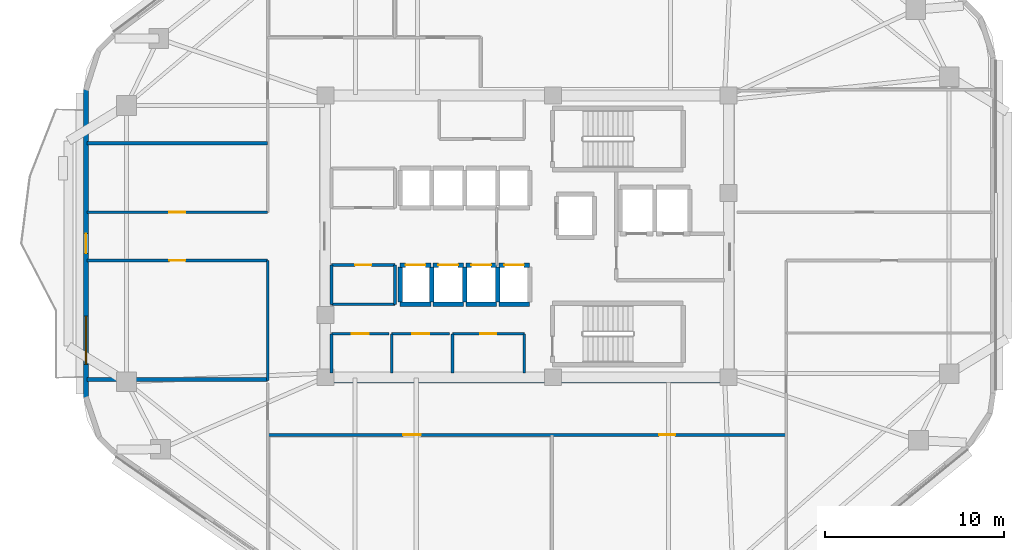
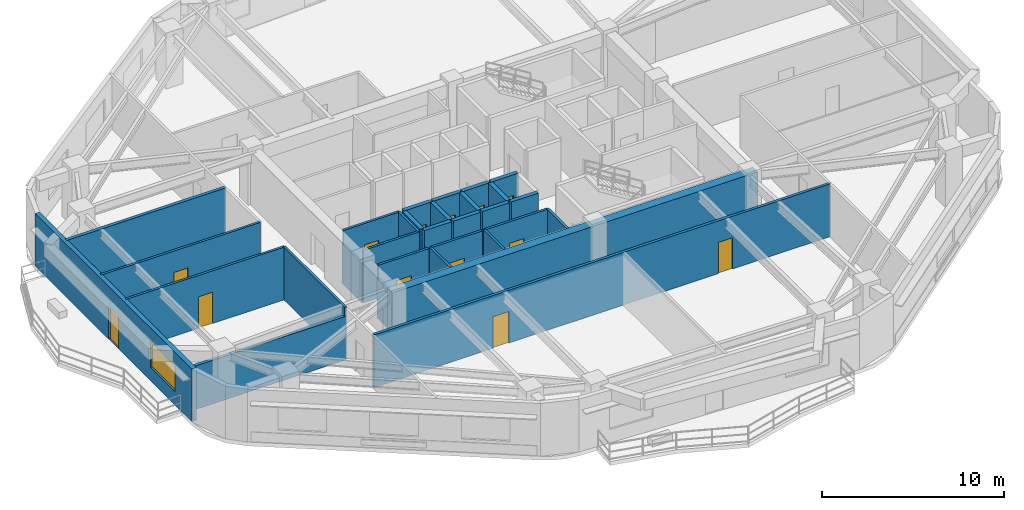
# One storey, part 3 of 9: 31 walls, 13 doors, 1 window, 14 openings.
"""IFC4 building model written with IfcOpenShell, lengths in metres."""

from ifc_helpers import new_model, si_unit, direction, frame, frame_2d, origin, place, context, subcontext, project, spatial, rectangle, extrude, material, layer, layer_set, type_object, element, fill, save


model = new_model("IFC4")

# Units and contexts
model_context = context("Model", 3, precision=1e-05, world=origin(), true_north=direction((0.0, 1.0)))
body_context = subcontext(model_context, "Body", "Model", "MODEL_VIEW")
ifc_project = project(units=[si_unit("LENGTHUNIT", "METRE"), si_unit("AREAUNIT", "SQUARE_METRE"), si_unit("VOLUMEUNIT", "CUBIC_METRE"), si_unit("PLANEANGLEUNIT", "RADIAN"), si_unit("MASSUNIT", "GRAM", prefix="KILO")], contexts=[model_context])

# Site, building, storey
site_placement = place(None, origin())
site = spatial("IfcSite", under=ifc_project, at=site_placement, CompositionType="ELEMENT")
building_placement = place(site_placement, origin())
building = spatial("IfcBuilding", under=site, at=building_placement, Name="Zulverin Broadcast Headquarters", CompositionType="ELEMENT")
storey_placement = place(building_placement, frame((0.0, 0.0, 144.0)))
storey = spatial("IfcBuildingStorey", under=building, at=storey_placement, Name="L36", CompositionType="ELEMENT", Elevation=144.0)

# Walls
ifc_material_1 = material(Name="Acoustic drywall steel stud", Category="steel")
ifc_layer_1 = layer(ifc_material_1, 0.199951171875, Name="Acoustic drywall steel stud", Category="steel")
ifc_layer_set_1 = layer_set([ifc_layer_1], Name="Acoustic drywall steel stud")
wall_type_1 = type_object("IfcWallType", Name="WL-ACOU-200", PredefinedType="PARTITIONING", material=ifc_layer_set_1)
wall_1_placement = place(storey_placement, frame((12.405029296875, 17.199951171875, 0.0), z_axis=(0.0, 0.0, 1.0), x_axis=(1.0, 0.0, 0.0)))
element("IfcWall", 1, at=wall_1_placement, inside=storey, type_object=wall_type_1, Name="L36 Room Partition Wall RP-09", PredefinedType="PARTITIONING", context=body_context, shape_type="SweptSolid", body=[
    extrude(rectangle(XDim=10.094970703125, YDim=0.199951171875, at=frame_2d((5.04736328125, 0.0))), origin(), (0.0, 0.0, 1.0), 2.9228515625),
])
wall_2_placement = place(storey_placement, frame((12.405029296875, 30.39990234375, 0.0), z_axis=(0.0, 0.0, 1.0), x_axis=(1.0, 0.0, 0.0)))
element("IfcWall", 2, at=wall_2_placement, inside=storey, type_object=wall_type_1, Name="L36 Room Partition Wall RP-15", PredefinedType="PARTITIONING", context=body_context, shape_type="SweptSolid", body=[
    extrude(rectangle(XDim=10.094970703125, YDim=0.199951171875, at=frame_2d((5.04736328125, 0.0))), origin(), (0.0, 0.0, 1.0), 3.5400390625),
])
ifc_material_2 = material(Name="Concrete C60/75", Category="concrete")
ifc_layer_2 = layer(ifc_material_2, 0.550048828125, Name="Concrete C60/75", Category="concrete")
ifc_layer_set_2 = layer_set([ifc_layer_2], Name="Concrete C60/75")
wall_type_2 = type_object("IfcWallType", Name="WL-CORE-550", PredefinedType="SHEAR", material=ifc_layer_set_2)
wall_3_placement = place(storey_placement, frame((25.39990234375, 17.27490234375, 0.0), z_axis=(0.0, 0.0, 1.0), x_axis=(1.0, 0.0, 0.0)))
element("IfcWall", 3, at=wall_3_placement, inside=storey, type_object=wall_type_2, Name="L36 Core South Shear Wall", PredefinedType="SHEAR", context=body_context, shape_type="SweptSolid", body=[
    extrude(rectangle(XDim=23.2001953125, YDim=0.550048828125, at=frame_2d((11.60009765625, 0.0))), origin(), (0.0, 0.0, 1.0), 3.5400390625),
])

# Wall, openings, door, window
ifc_material_3 = material(Name="Insulated pale-metal clad concrete spandrel C40/50", Category="concrete")
ifc_layer_3 = layer(ifc_material_3, 0.280029296875, Name="Insulated pale-metal clad concrete spandrel C40/50", Category="concrete")
ifc_layer_set_3 = layer_set([ifc_layer_3], Name="Insulated pale-metal clad concrete spandrel C40/50")
wall_type_3 = type_object("IfcWallType", Name="WL-EXT-280", PredefinedType="STANDARD", material=ifc_layer_set_3)
wall_4_placement = place(storey_placement, frame((12.340087890625, 33.4189453125, 0.0), z_axis=(0.0, 0.0, 1.0), x_axis=(0.0, -1.0, 0.0)))
wall_4 = element("IfcWall", 4, at=wall_4_placement, inside=storey, type_object=wall_type_3, Name="L36 Pale-Metal Clad Spandrel Wall 7", PredefinedType="STANDARD", context=body_context, shape_type="SweptSolid", body=[
    extrude(rectangle(XDim=17.23193359375, YDim=0.280029296875, at=frame_2d((8.615966796875, 0.0))), origin(), (0.0, 0.0, 1.0), 3.5400390625),
])
opening_1_placement = place(wall_4_placement, frame((8.06591796875, 0.0, 0.0)))
opening_1 = element("IfcOpeningElement", 5, at=opening_1_placement, cuts=wall_4, Name="Opening D-L36-TR7", PredefinedType="OPENING", context=body_context, shape_type="SweptSolid", body=[
    extrude(rectangle(XDim=1.10009765625, YDim=2.199951171875, at=frame_2d((0.550048828125, 1.10009765625))), frame((0.0, 0.14990234375, 0.0), z_axis=(0.0, -1.0, 0.0), x_axis=(1.0, 0.0, 0.0)), (0.0, 0.0, 1.0), 0.300048828125),
])
opening_2_placement = place(wall_4_placement, frame((12.6767578125, 0.0, 0.89990234375)))
opening_2 = element("IfcOpeningElement", 6, at=opening_2_placement, cuts=wall_4, Name="Opening W-L36-E71", PredefinedType="OPENING", context=body_context, shape_type="SweptSolid", body=[
    extrude(rectangle(XDim=2.699951171875, YDim=1.75, at=frame_2d((1.35009765625, 0.875))), frame((0.0, 0.14990234375, 0.0), z_axis=(0.0, -1.0, 0.0), x_axis=(1.0, 0.0, 0.0)), (0.0, 0.0, 1.0), 0.300048828125),
])
ifc_material_4 = material(Name="Thermally broken aluminium glazed", Category="aluminium")
door_type_1 = type_object("IfcDoorType", Name="DR-TERR-1100", OperationType="SINGLE_SWING_RIGHT", PredefinedType="DOOR", material=ifc_material_4)
door_1_placement = place(opening_1_placement, origin())
door_1 = element("IfcDoor", 7, at=door_1_placement, inside=storey, type_object=door_type_1, Name="L36 Planted Terrace Glazed Access Door 7", OperationType="SINGLE_SWING_RIGHT", OverallHeight=2.199951171875, OverallWidth=1.10009765625, PredefinedType="DOOR", context=body_context, shape_type="SweptSolid", body=[
    extrude(rectangle(XDim=1.10009765625, YDim=2.199951171875, at=frame_2d((0.550048828125, 1.10009765625))), frame((0.0, 0.02490234375, 0.0), z_axis=(0.0, -1.0, 0.0), x_axis=(1.0, 0.0, 0.0)), (0.0, 0.0, 1.0), 0.050048828125),
])
fill(opening_1, door_1)
ifc_material_5 = material(Name="Pale anodized aluminium frame with solar-control low-E double glazing", Category="aluminium")
window_type = type_object("IfcWindowType", Name="WIN-TWR-2700", PartitioningType="SINGLE_PANEL", PredefinedType="WINDOW", material=ifc_material_5)
window_placement = place(opening_2_placement, origin())
window = element("IfcWindow", 8, at=window_placement, inside=storey, type_object=window_type, Name="L36 Ribbon Glazing Window 7 1", OverallHeight=1.75, OverallWidth=2.699951171875, PartitioningType="SINGLE_PANEL", PredefinedType="WINDOW", context=body_context, shape_type="SweptSolid", body=[
    extrude(rectangle(XDim=2.699951171875, YDim=1.75, at=frame_2d((1.35009765625, 0.875))), frame((0.0, 0.030029296875, 0.0), z_axis=(0.0, -1.0, 0.0), x_axis=(1.0, 0.0, 0.0)), (0.0, 0.0, 1.0), 0.06005859375),
])
fill(opening_2, window)

# Wall, opening, door
ifc_material_6 = material(Name="Fire-rated gypsum stud partition", Category="gypsum")
ifc_layer_4 = layer(ifc_material_6, 0.14990234375, Name="Fire-rated gypsum stud partition", Category="gypsum")
ifc_layer_set_4 = layer_set([ifc_layer_4], Name="Fire-rated gypsum stud partition")
wall_type_4 = type_object("IfcWallType", Name="WL-PART-150", PredefinedType="PARTITIONING", material=ifc_layer_set_4)
wall_5_placement = place(storey_placement, frame((26.070068359375, 19.75, 0.0), z_axis=(0.0, 0.0, 1.0), x_axis=(1.0, 0.0, 0.0)))
wall_5 = element("IfcWall", 9, at=wall_5_placement, inside=storey, type_object=wall_type_4, Name="L36 Core Male WC Front Wall", PredefinedType="PARTITIONING", context=body_context, shape_type="SweptSolid", body=[
    extrude(rectangle(XDim=3.199951171875, YDim=0.14990234375, at=frame_2d((1.60009765625, 0.0))), origin(), (0.0, 0.0, 1.0), 3.5400390625),
])
opening_3_placement = place(wall_5_placement, frame((1.125, 0.0, 0.0)))
opening_3 = element("IfcOpeningElement", 10, at=opening_3_placement, cuts=wall_5, Name="Opening D-L36-SC1", PredefinedType="OPENING", context=body_context, shape_type="SweptSolid", body=[
    extrude(rectangle(XDim=0.949951171875, YDim=2.10009765625, at=frame_2d((0.47509765625, 1.050048828125))), frame((0.0, 0.0849609375, 0.0), z_axis=(0.0, -1.0, 0.0), x_axis=(1.0, 0.0, 0.0)), (0.0, 0.0, 1.0), 0.169921875),
])
ifc_material_7 = material(Name="Fire-rated moisture-resistant laminate leaf", Category="wood")
door_type_2 = type_object("IfcDoorType", Name="DR-WC-950", OperationType="SINGLE_SWING_LEFT", PredefinedType="DOOR", material=ifc_material_7)
door_2_placement = place(opening_3_placement, origin())
door_2 = element("IfcDoor", 11, at=door_2_placement, inside=storey, type_object=door_type_2, Name="L36 Male WC Door", OperationType="SINGLE_SWING_RIGHT", OverallHeight=2.10009765625, OverallWidth=0.949951171875, PredefinedType="DOOR", context=body_context, shape_type="SweptSolid", body=[
    extrude(rectangle(XDim=0.949951171875, YDim=2.10009765625, at=frame_2d((0.47509765625, 1.050048828125))), frame((0.0, 0.02490234375, 0.0), z_axis=(0.0, -1.0, 0.0), x_axis=(1.0, 0.0, 0.0)), (0.0, 0.0, 1.0), 0.050048828125),
])
fill(opening_3, door_2)

# Wall
wall_6_placement = place(storey_placement, frame((26.070068359375, 17.550048828125, 0.0), z_axis=(0.0, 0.0, 1.0), x_axis=(0.0, 1.0, 0.0)))
element("IfcWall", 12, at=wall_6_placement, inside=storey, type_object=wall_type_4, Name="L36 Core Male WC West Wall", PredefinedType="PARTITIONING", context=body_context, shape_type="SweptSolid", body=[
    extrude(rectangle(XDim=2.199951171875, YDim=0.14990234375, at=frame_2d((1.10009765625, 0.0))), origin(), (0.0, 0.0, 1.0), 2.639892578125),
])

# Wall, opening, door
wall_7_placement = place(storey_placement, frame((29.429931640625, 19.75, 0.0), z_axis=(0.0, 0.0, 1.0), x_axis=(1.0, 0.0, 0.0)))
wall_7 = element("IfcWall", 13, at=wall_7_placement, inside=storey, type_object=wall_type_4, Name="L36 Core Female WC Front Wall", PredefinedType="PARTITIONING", context=body_context, shape_type="SweptSolid", body=[
    extrude(rectangle(XDim=3.239990234375, YDim=0.14990234375, at=frame_2d((1.6201171875, 0.0))), origin(), (0.0, 0.0, 1.0), 3.5400390625),
])
opening_4_placement = place(wall_7_placement, frame((1.14501953125, 0.0, 0.0)))
opening_4 = element("IfcOpeningElement", 14, at=opening_4_placement, cuts=wall_7, Name="Opening D-L36-SC2", PredefinedType="OPENING", context=body_context, shape_type="SweptSolid", body=[
    extrude(rectangle(XDim=0.949951171875, YDim=2.10009765625, at=frame_2d((0.47509765625, 1.050048828125))), frame((0.0, 0.0849609375, 0.0), z_axis=(0.0, -1.0, 0.0), x_axis=(1.0, 0.0, 0.0)), (0.0, 0.0, 1.0), 0.169921875),
])
door_3_placement = place(opening_4_placement, origin())
door_3 = element("IfcDoor", 15, at=door_3_placement, inside=storey, type_object=door_type_2, Name="L36 Female WC Door", OperationType="SINGLE_SWING_LEFT", OverallHeight=2.10009765625, OverallWidth=0.949951171875, PredefinedType="DOOR", context=body_context, shape_type="SweptSolid", body=[
    extrude(rectangle(XDim=0.949951171875, YDim=2.10009765625, at=frame_2d((0.47509765625, 1.050048828125))), frame((0.0, 0.02490234375, 0.0), z_axis=(0.0, -1.0, 0.0), x_axis=(1.0, 0.0, 0.0)), (0.0, 0.0, 1.0), 0.050048828125),
])
fill(opening_4, door_3)

# Wall
wall_8_placement = place(storey_placement, frame((29.429931640625, 17.550048828125, 0.0), z_axis=(0.0, 0.0, 1.0), x_axis=(0.0, 1.0, 0.0)))
element("IfcWall", 16, at=wall_8_placement, inside=storey, type_object=wall_type_4, Name="L36 Core Female WC West Wall", PredefinedType="PARTITIONING", context=body_context, shape_type="SweptSolid", body=[
    extrude(rectangle(XDim=2.199951171875, YDim=0.14990234375, at=frame_2d((1.10009765625, 0.0))), origin(), (0.0, 0.0, 1.0), 3.5400390625),
])

# Wall, opening, door
wall_9_placement = place(storey_placement, frame((32.830078125, 19.75, 0.0), z_axis=(0.0, 0.0, 1.0), x_axis=(1.0, 0.0, 0.0)))
wall_9 = element("IfcWall", 17, at=wall_9_placement, inside=storey, type_object=wall_type_4, Name="L36 Core Cleaner Store Front Wall", PredefinedType="PARTITIONING", context=body_context, shape_type="SweptSolid", body=[
    extrude(rectangle(XDim=4.02001953125, YDim=0.14990234375, at=frame_2d((2.010009765625, 0.0))), origin(), (0.0, 0.0, 1.0), 3.5400390625),
])
opening_5_placement = place(wall_9_placement, frame((1.56005859375, 0.0, 0.0)))
opening_5 = element("IfcOpeningElement", 18, at=opening_5_placement, cuts=wall_9, Name="Opening D-L36-SC3", PredefinedType="OPENING", context=body_context, shape_type="SweptSolid", body=[
    extrude(rectangle(XDim=0.89990234375, YDim=2.10009765625, at=frame_2d((0.449951171875, 1.050048828125))), frame((0.0, 0.0849609375, 0.0), z_axis=(0.0, -1.0, 0.0), x_axis=(1.0, 0.0, 0.0)), (0.0, 0.0, 1.0), 0.169921875),
])
ifc_material_8 = material(Name="Powder-coated steel access leaf", Category="steel")
door_type_3 = type_object("IfcDoorType", Name="DR-RISER-900", OperationType="SINGLE_SWING_LEFT", PredefinedType="DOOR", material=ifc_material_8)
door_4_placement = place(opening_5_placement, origin())
door_4 = element("IfcDoor", 19, at=door_4_placement, inside=storey, type_object=door_type_3, Name="L36 Cleaner Store Door", OperationType="SINGLE_SWING_RIGHT", OverallHeight=2.10009765625, OverallWidth=0.89990234375, PredefinedType="DOOR", context=body_context, shape_type="SweptSolid", body=[
    extrude(rectangle(XDim=0.89990234375, YDim=2.10009765625, at=frame_2d((0.449951171875, 1.050048828125))), frame((0.0, 0.02490234375, 0.0), z_axis=(0.0, -1.0, 0.0), x_axis=(1.0, 0.0, 0.0)), (0.0, 0.0, 1.0), 0.050048828125),
])
fill(opening_5, door_4)

# Walls
for number, where, z_axis, x_axis, name in (
    (20, (32.830078125, 17.550048828125, 0.0), (0.0, 0.0, 1.0), (0.0, 1.0, 0.0), "L36 Core Cleaner Store West Wall"),
    (21, (36.85009765625, 17.550048828125, 0.0), (0.0, 0.0, 1.0), (0.0, 1.0, 0.0), "L36 Core Cleaner Store East Wall"),
):
    element("IfcWall", number, at=place(storey_placement, frame(where, z_axis=z_axis, x_axis=x_axis)), inside=storey, type_object=wall_type_4, Name=name, PredefinedType="PARTITIONING", context=body_context, shape_type="SweptSolid", body=[
        extrude(rectangle(XDim=2.199951171875, YDim=0.14990234375, at=frame_2d((1.10009765625, 0.0))), origin(), (0.0, 0.0, 1.0), 3.5400390625),
    ])
wall_10_placement = place(storey_placement, frame((26.070068359375, 21.39990234375, 0.0), z_axis=(0.0, 0.0, 1.0), x_axis=(1.0, 0.0, 0.0)))
element("IfcWall", 22, at=wall_10_placement, inside=storey, type_object=wall_type_4, Name="L36 Housekeeping Equipment Store S Wall", PredefinedType="PARTITIONING", context=body_context, shape_type="SweptSolid", body=[
    extrude(rectangle(XDim=3.550048828125, YDim=0.14990234375, at=frame_2d((1.77490234375, 0.0))), origin(), (0.0, 0.0, 1.0), 3.5400390625),
])

# Wall, opening, door
wall_11_placement = place(storey_placement, frame((26.070068359375, 23.60009765625, 0.0), z_axis=(0.0, 0.0, 1.0), x_axis=(1.0, 0.0, 0.0)))
wall_11 = element("IfcWall", 23, at=wall_11_placement, inside=storey, type_object=wall_type_4, Name="L36 Housekeeping Equipment Store N Wall", PredefinedType="PARTITIONING", context=body_context, shape_type="SweptSolid", body=[
    extrude(rectangle(XDim=3.550048828125, YDim=0.14990234375, at=frame_2d((1.77490234375, 0.0))), origin(), (0.0, 0.0, 1.0), 3.5400390625),
])
opening_6_placement = place(wall_11_placement, frame((1.324951171875, 0.0, 0.0)))
opening_6 = element("IfcOpeningElement", 24, at=opening_6_placement, cuts=wall_11, Name="Opening D-L36-RCLS", PredefinedType="OPENING", context=body_context, shape_type="SweptSolid", body=[
    extrude(rectangle(XDim=0.89990234375, YDim=2.10009765625, at=frame_2d((0.449951171875, 1.050048828125))), frame((0.0, 0.0849609375, 0.0), z_axis=(0.0, -1.0, 0.0), x_axis=(1.0, 0.0, 0.0)), (0.0, 0.0, 1.0), 0.169921875),
])
door_5_placement = place(opening_6_placement, origin())
door_5 = element("IfcDoor", 25, at=door_5_placement, inside=storey, type_object=door_type_3, Name="L36 Housekeeping Equipment Store Door", OperationType="SINGLE_SWING_RIGHT", OverallHeight=2.10009765625, OverallWidth=0.89990234375, PredefinedType="DOOR", context=body_context, shape_type="SweptSolid", body=[
    extrude(rectangle(XDim=0.89990234375, YDim=2.10009765625, at=frame_2d((0.449951171875, 1.050048828125))), frame((0.0, 0.02490234375, 0.0), z_axis=(0.0, -1.0, 0.0), x_axis=(1.0, 0.0, 0.0)), (0.0, 0.0, 1.0), 0.050048828125),
])
fill(opening_6, door_5)

# Walls
wall_12_placement = place(storey_placement, frame((26.070068359375, 21.39990234375, 0.0), z_axis=(0.0, 0.0, 1.0), x_axis=(0.0, 1.0, 0.0)))
element("IfcWall", 26, at=wall_12_placement, inside=storey, type_object=wall_type_4, Name="L36 Housekeeping Equipment Store W Wall", PredefinedType="PARTITIONING", context=body_context, shape_type="SweptSolid", body=[
    extrude(rectangle(XDim=2.2001953125, YDim=0.14990234375, at=frame_2d((1.10009765625, 0.0))), origin(), (0.0, 0.0, 1.0), 2.639892578125),
])
wall_13_placement = place(storey_placement, frame((29.6201171875, 21.39990234375, 0.0), z_axis=(0.0, 0.0, 1.0), x_axis=(0.0, 1.0, 0.0)))
element("IfcWall", 27, at=wall_13_placement, inside=storey, type_object=wall_type_4, Name="L36 Housekeeping Equipment Store E Wall", PredefinedType="PARTITIONING", context=body_context, shape_type="SweptSolid", body=[
    extrude(rectangle(XDim=2.2001953125, YDim=0.14990234375, at=frame_2d((1.10009765625, 0.0))), origin(), (0.0, 0.0, 1.0), 3.5400390625),
])
wall_14_placement = place(storey_placement, frame((22.5, 17.139892578125, 0.0), z_axis=(0.0, 0.0, 1.0), x_axis=(0.0, 1.0, 0.0)))
element("IfcWall", 28, at=wall_14_placement, inside=storey, type_object=wall_type_4, Name="L36 Gallery Partition Wall CG-06", PredefinedType="PARTITIONING", context=body_context, shape_type="SweptSolid", body=[
    extrude(rectangle(XDim=6.710205078125, YDim=0.14990234375, at=frame_2d((3.35498046875, 0.0))), origin(), (0.0, 0.0, 1.0), 3.5400390625),
])

# Wall, opening, door
wall_15_placement = place(storey_placement, frame((12.405029296875, 23.85009765625, 0.0), z_axis=(0.0, 0.0, 1.0), x_axis=(1.0, 0.0, 0.0)))
wall_15 = element("IfcWall", 29, at=wall_15_placement, inside=storey, type_object=wall_type_4, Name="L36 Gallery Partition Wall CG-11", PredefinedType="PARTITIONING", context=body_context, shape_type="SweptSolid", body=[
    extrude(rectangle(XDim=10.094970703125, YDim=0.14990234375, at=frame_2d((5.04736328125, 0.0))), origin(), (0.0, 0.0, 1.0), 3.5400390625),
])
opening_7_placement = place(wall_15_placement, frame((4.597412109375, 0.0, 0.0)))
opening_7 = element("IfcOpeningElement", 30, at=opening_7_placement, cuts=wall_15, Name="Opening D-L36-06", PredefinedType="OPENING", context=body_context, shape_type="SweptSolid", body=[
    extrude(rectangle(XDim=0.89990234375, YDim=2.10009765625, at=frame_2d((0.449951171875, 1.050048828125))), frame((0.0, 0.0849609375, 0.0), z_axis=(0.0, -1.0, 0.0), x_axis=(1.0, 0.0, 0.0)), (0.0, 0.0, 1.0), 0.169921875),
])
ifc_material_9 = material(Name="Fire-rated hardwood veneer timber leaf", Category="wood")
door_type_4 = type_object("IfcDoorType", Name="DR-ROOM-900", OperationType="SINGLE_SWING_RIGHT", PredefinedType="DOOR", material=ifc_material_9)
door_6_placement = place(opening_7_placement, origin())
door_6 = element("IfcDoor", 31, at=door_6_placement, inside=storey, type_object=door_type_4, Name="L36 Interview Room Door", OperationType="SINGLE_SWING_LEFT", OverallHeight=2.10009765625, OverallWidth=0.89990234375, PredefinedType="DOOR", context=body_context, shape_type="SweptSolid", body=[
    extrude(rectangle(XDim=0.89990234375, YDim=2.10009765625, at=frame_2d((0.449951171875, 1.050048828125))), frame((0.0, 0.02490234375, 0.0), z_axis=(0.0, -1.0, 0.0), x_axis=(1.0, 0.0, 0.0)), (0.0, 0.0, 1.0), 0.050048828125),
])
fill(opening_7, door_6)

wall_16_placement = place(storey_placement, frame((12.405029296875, 26.550048828125, 0.0), z_axis=(0.0, 0.0, 1.0), x_axis=(1.0, 0.0, 0.0)))
wall_16 = element("IfcWall", 32, at=wall_16_placement, inside=storey, type_object=wall_type_4, Name="L36 Gallery Partition Wall CG-13", PredefinedType="PARTITIONING", context=body_context, shape_type="SweptSolid", body=[
    extrude(rectangle(XDim=10.094970703125, YDim=0.14990234375, at=frame_2d((5.04736328125, 0.0))), origin(), (0.0, 0.0, 1.0), 3.5400390625),
])
opening_8_placement = place(wall_16_placement, frame((4.597412109375, 0.0, 0.0)))
opening_8 = element("IfcOpeningElement", 33, at=opening_8_placement, cuts=wall_16, Name="Opening D-L36-07", PredefinedType="OPENING", context=body_context, shape_type="SweptSolid", body=[
    extrude(rectangle(XDim=0.89990234375, YDim=2.10009765625, at=frame_2d((0.449951171875, 1.050048828125))), frame((0.0, 0.0849609375, 0.0), z_axis=(0.0, -1.0, 0.0), x_axis=(1.0, 0.0, 0.0)), (0.0, 0.0, 1.0), 0.169921875),
])
door_7_placement = place(opening_8_placement, origin())
door_7 = element("IfcDoor", 34, at=door_7_placement, inside=storey, type_object=door_type_4, Name="L36 Huddle Room Door", OperationType="SINGLE_SWING_RIGHT", OverallHeight=2.10009765625, OverallWidth=0.89990234375, PredefinedType="DOOR", context=body_context, shape_type="SweptSolid", body=[
    extrude(rectangle(XDim=0.89990234375, YDim=2.10009765625, at=frame_2d((0.449951171875, 1.050048828125))), frame((0.0, 0.02490234375, 0.0), z_axis=(0.0, -1.0, 0.0), x_axis=(1.0, 0.0, 0.0)), (0.0, 0.0, 1.0), 0.050048828125),
])
fill(opening_8, door_7)

# Wall, openings, doors
ifc_material_10 = material(Name="Fire-rated acoustic stud wall", Category="gypsum")
ifc_layer_5 = layer(ifc_material_10, 0.175048828125, Name="Fire-rated acoustic stud wall", Category="gypsum")
ifc_layer_set_5 = layer_set([ifc_layer_5], Name="Fire-rated acoustic stud wall")
wall_type_5 = type_object("IfcWallType", Name="WL-PART-175", PredefinedType="PARTITIONING", material=ifc_layer_set_5)
wall_17_placement = place(storey_placement, frame((22.5, 14.10009765625, 0.0), z_axis=(0.0, 0.0, 1.0), x_axis=(1.0, 0.0, 0.0)))
wall_17 = element("IfcWall", 35, at=wall_17_placement, inside=storey, type_object=wall_type_5, Name="L36 Gallery Partition Wall CG-08", PredefinedType="PARTITIONING", context=body_context, shape_type="SweptSolid", body=[
    extrude(rectangle(XDim=29.0, YDim=0.175048828125, at=frame_2d((14.5, 0.0))), origin(), (0.0, 0.0, 1.0), 3.5400390625),
])
opening_9_placement = place(wall_17_placement, frame((7.570068359375, 0.0, 0.0)))
opening_9 = element("IfcOpeningElement", 36, at=opening_9_placement, cuts=wall_17, Name="Opening D-L36-03", PredefinedType="OPENING", context=body_context, shape_type="SweptSolid", body=[
    extrude(rectangle(XDim=1.0, YDim=2.1201171875, at=frame_2d((0.5, 1.06005859375))), frame((0.0, 0.097412109375, 0.0), z_axis=(0.0, -1.0, 0.0), x_axis=(1.0, 0.0, 0.0)), (0.0, 0.0, 1.0), 0.195068359375),
])
opening_10_placement = place(wall_17_placement, frame((21.8798828125, 0.0, 0.0)))
opening_10 = element("IfcOpeningElement", 37, at=opening_10_placement, cuts=wall_17, Name="Opening D-L36-04", PredefinedType="OPENING", context=body_context, shape_type="SweptSolid", body=[
    extrude(rectangle(XDim=0.89990234375, YDim=2.10009765625, at=frame_2d((0.449951171875, 1.050048828125))), frame((0.0, 0.097412109375, 0.0), z_axis=(0.0, -1.0, 0.0), x_axis=(1.0, 0.0, 0.0)), (0.0, 0.0, 1.0), 0.195068359375),
])
ifc_material_11 = material(Name="Hardwood veneer acoustic leaf", Category="wood")
door_type_5 = type_object("IfcDoorType", Name="DR-OFF-1000", OperationType="SINGLE_SWING_LEFT", PredefinedType="DOOR", material=ifc_material_11)
door_8_placement = place(opening_9_placement, origin())
door_8 = element("IfcDoor", 38, at=door_8_placement, inside=storey, type_object=door_type_5, Name="L36 Admin Office Door", OperationType="SINGLE_SWING_RIGHT", OverallHeight=2.1201171875, OverallWidth=1.0, PredefinedType="DOOR", context=body_context, shape_type="SweptSolid", body=[
    extrude(rectangle(XDim=1.0, YDim=2.1201171875, at=frame_2d((0.5, 1.06005859375))), frame((0.0, 0.02490234375, 0.0), z_axis=(0.0, -1.0, 0.0), x_axis=(1.0, 0.0, 0.0)), (0.0, 0.0, 1.0), 0.050048828125),
])
fill(opening_9, door_8)
door_9_placement = place(opening_10_placement, origin())
door_9 = element("IfcDoor", 39, at=door_9_placement, inside=storey, type_object=door_type_4, Name="L36 Boardroom Door", OperationType="SINGLE_SWING_LEFT", OverallHeight=2.10009765625, OverallWidth=0.89990234375, PredefinedType="DOOR", context=body_context, shape_type="SweptSolid", body=[
    extrude(rectangle(XDim=0.89990234375, YDim=2.10009765625, at=frame_2d((0.449951171875, 1.050048828125))), frame((0.0, 0.02490234375, 0.0), z_axis=(0.0, -1.0, 0.0), x_axis=(1.0, 0.0, 0.0)), (0.0, 0.0, 1.0), 0.050048828125),
])
fill(opening_10, door_9)

# Wall
ifc_material_12 = material(Name="Concrete C50/60", Category="concrete")
ifc_layer_6 = layer(ifc_material_12, 0.25, Name="Concrete C50/60", Category="concrete")
ifc_layer_set_6 = layer_set([ifc_layer_6], Name="Concrete C50/60")
wall_type_6 = type_object("IfcWallType", Name="WL-SHAFT-250", PredefinedType="SHEAR", material=ifc_layer_set_6)
wall_18_placement = place(storey_placement, frame((29.89990234375, 21.39990234375, 0.0), z_axis=(0.0, 0.0, 1.0), x_axis=(1.0, 0.0, 0.0)))
element("IfcWall", 40, at=wall_18_placement, inside=storey, type_object=wall_type_6, Name="L36 Lift PL-M1 Shaft Wall S", PredefinedType="SHEAR", context=body_context, shape_type="SweptSolid", body=[
    extrude(rectangle(XDim=1.72021484375, YDim=0.25, at=frame_2d((0.860107421875, 0.0))), origin(), (0.0, 0.0, 1.0), 3.5400390625),
])

# Wall, opening, door
wall_19_placement = place(storey_placement, frame((29.89990234375, 23.60009765625, 0.0), z_axis=(0.0, 0.0, 1.0), x_axis=(1.0, 0.0, 0.0)))
wall_19 = element("IfcWall", 41, at=wall_19_placement, inside=storey, type_object=wall_type_6, Name="L36 Lift PL-M1 Shaft Wall N", PredefinedType="SHEAR", context=body_context, shape_type="SweptSolid", body=[
    extrude(rectangle(XDim=1.72021484375, YDim=0.25, at=frame_2d((0.860107421875, 0.0))), origin(), (0.0, 0.0, 1.0), 3.5400390625),
])
opening_11_placement = place(wall_19_placement, frame((0.31005859375, 0.0, 0.0)))
opening_11 = element("IfcOpeningElement", 42, at=opening_11_placement, cuts=wall_19, Name="Opening LD-PL-M1-L36", PredefinedType="OPENING", context=body_context, shape_type="SweptSolid", body=[
    extrude(rectangle(XDim=1.10009765625, YDim=2.14990234375, at=frame_2d((0.550048828125, 1.074951171875))), frame((0.0, 0.135009765625, 0.0), z_axis=(0.0, -1.0, 0.0), x_axis=(1.0, 0.0, 0.0)), (0.0, 0.0, 1.0), 0.27001953125),
])
ifc_material_13 = material(Name="Brushed stainless steel landing", Category="steel")
door_type_6 = type_object("IfcDoorType", Name="LD-PASS-1100", OperationType="DOUBLE_DOOR_SLIDING", PredefinedType="DOOR", material=ifc_material_13)
door_10_placement = place(opening_11_placement, origin())
door_10 = element("IfcDoor", 43, at=door_10_placement, inside=storey, type_object=door_type_6, Name="L36 Lift PL-M1 Sliding Landing Door", OperationType="DOUBLE_DOOR_SLIDING", OverallHeight=2.14990234375, OverallWidth=1.10009765625, PredefinedType="DOOR", context=body_context, shape_type="SweptSolid", body=[
    extrude(rectangle(XDim=1.10009765625, YDim=2.14990234375, at=frame_2d((0.550048828125, 1.074951171875))), frame((0.0, 0.02490234375, 0.0), z_axis=(0.0, -1.0, 0.0), x_axis=(1.0, 0.0, 0.0)), (0.0, 0.0, 1.0), 0.050048828125),
])
fill(opening_11, door_10)

# Walls
for number, where, z_axis, x_axis, name in (
    (44, (29.89990234375, 21.52001953125, 0.0), (0.0, 0.0, 1.0), (0.0, 1.0, 0.0), "L36 Lift PL-M1 Shaft Wall W"),
    (45, (31.679931640625, 21.52001953125, 0.0), (0.0, 0.0, 1.0), (0.0, 1.0, 0.0), "L36 Lift PL-M1 Shaft Wall E"),
):
    element("IfcWall", number, at=place(storey_placement, frame(where, z_axis=z_axis, x_axis=x_axis)), inside=storey, type_object=wall_type_6, Name=name, PredefinedType="SHEAR", context=body_context, shape_type="SweptSolid", body=[
        extrude(rectangle(XDim=1.9599609375, YDim=0.25, at=frame_2d((0.97998046875, 0.0))), origin(), (0.0, 0.0, 1.0), 3.5400390625),
    ])
wall_20_placement = place(storey_placement, frame((31.739990234375, 21.39990234375, 0.0), z_axis=(0.0, 0.0, 1.0), x_axis=(1.0, 0.0, 0.0)))
element("IfcWall", 46, at=wall_20_placement, inside=storey, type_object=wall_type_6, Name="L36 Lift PL-M2 Shaft Wall S", PredefinedType="SHEAR", context=body_context, shape_type="SweptSolid", body=[
    extrude(rectangle(XDim=1.719970703125, YDim=0.25, at=frame_2d((0.85986328125, 0.0))), origin(), (0.0, 0.0, 1.0), 3.5400390625),
])

# Wall, opening, door
wall_21_placement = place(storey_placement, frame((31.739990234375, 23.60009765625, 0.0), z_axis=(0.0, 0.0, 1.0), x_axis=(1.0, 0.0, 0.0)))
wall_21 = element("IfcWall", 47, at=wall_21_placement, inside=storey, type_object=wall_type_6, Name="L36 Lift PL-M2 Shaft Wall N", PredefinedType="SHEAR", context=body_context, shape_type="SweptSolid", body=[
    extrude(rectangle(XDim=1.719970703125, YDim=0.25, at=frame_2d((0.85986328125, 0.0))), origin(), (0.0, 0.0, 1.0), 3.5400390625),
])
opening_12_placement = place(wall_21_placement, frame((0.31005859375, 0.0, 0.0)))
opening_12 = element("IfcOpeningElement", 48, at=opening_12_placement, cuts=wall_21, Name="Opening LD-PL-M2-L36", PredefinedType="OPENING", context=body_context, shape_type="SweptSolid", body=[
    extrude(rectangle(XDim=1.10009765625, YDim=2.14990234375, at=frame_2d((0.550048828125, 1.074951171875))), frame((0.0, 0.135009765625, 0.0), z_axis=(0.0, -1.0, 0.0), x_axis=(1.0, 0.0, 0.0)), (0.0, 0.0, 1.0), 0.27001953125),
])
door_11_placement = place(opening_12_placement, origin())
door_11 = element("IfcDoor", 49, at=door_11_placement, inside=storey, type_object=door_type_6, Name="L36 Lift PL-M2 Sliding Landing Door", OperationType="DOUBLE_DOOR_SLIDING", OverallHeight=2.14990234375, OverallWidth=1.10009765625, PredefinedType="DOOR", context=body_context, shape_type="SweptSolid", body=[
    extrude(rectangle(XDim=1.10009765625, YDim=2.14990234375, at=frame_2d((0.550048828125, 1.074951171875))), frame((0.0, 0.02490234375, 0.0), z_axis=(0.0, -1.0, 0.0), x_axis=(1.0, 0.0, 0.0)), (0.0, 0.0, 1.0), 0.050048828125),
])
fill(opening_12, door_11)

# Walls
wall_22_placement = place(storey_placement, frame((33.52001953125, 21.52001953125, 0.0), z_axis=(0.0, 0.0, 1.0), x_axis=(0.0, 1.0, 0.0)))
element("IfcWall", 50, at=wall_22_placement, inside=storey, type_object=wall_type_6, Name="L36 Lift PL-M2 Shaft Wall E", PredefinedType="SHEAR", context=body_context, shape_type="SweptSolid", body=[
    extrude(rectangle(XDim=1.9599609375, YDim=0.25, at=frame_2d((0.97998046875, 0.0))), origin(), (0.0, 0.0, 1.0), 3.5400390625),
])
wall_23_placement = place(storey_placement, frame((33.580078125, 21.39990234375, 0.0), z_axis=(0.0, 0.0, 1.0), x_axis=(1.0, 0.0, 0.0)))
element("IfcWall", 51, at=wall_23_placement, inside=storey, type_object=wall_type_6, Name="L36 Lift PL-M3 Shaft Wall S", PredefinedType="SHEAR", context=body_context, shape_type="SweptSolid", body=[
    extrude(rectangle(XDim=1.719970703125, YDim=0.25, at=frame_2d((0.85986328125, 0.0))), origin(), (0.0, 0.0, 1.0), 3.5400390625),
])

# Wall, opening, door
wall_24_placement = place(storey_placement, frame((33.580078125, 23.60009765625, 0.0), z_axis=(0.0, 0.0, 1.0), x_axis=(1.0, 0.0, 0.0)))
wall_24 = element("IfcWall", 52, at=wall_24_placement, inside=storey, type_object=wall_type_6, Name="L36 Lift PL-M3 Shaft Wall N", PredefinedType="SHEAR", context=body_context, shape_type="SweptSolid", body=[
    extrude(rectangle(XDim=1.719970703125, YDim=0.25, at=frame_2d((0.85986328125, 0.0))), origin(), (0.0, 0.0, 1.0), 3.5400390625),
])
opening_13_placement = place(wall_24_placement, frame((0.31005859375, 0.0, 0.0)))
opening_13 = element("IfcOpeningElement", 53, at=opening_13_placement, cuts=wall_24, Name="Opening LD-PL-M3-L36", PredefinedType="OPENING", context=body_context, shape_type="SweptSolid", body=[
    extrude(rectangle(XDim=1.10009765625, YDim=2.14990234375, at=frame_2d((0.550048828125, 1.074951171875))), frame((0.0, 0.135009765625, 0.0), z_axis=(0.0, -1.0, 0.0), x_axis=(1.0, 0.0, 0.0)), (0.0, 0.0, 1.0), 0.27001953125),
])
door_12_placement = place(opening_13_placement, origin())
door_12 = element("IfcDoor", 54, at=door_12_placement, inside=storey, type_object=door_type_6, Name="L36 Lift PL-M3 Sliding Landing Door", OperationType="DOUBLE_DOOR_SLIDING", OverallHeight=2.14990234375, OverallWidth=1.10009765625, PredefinedType="DOOR", context=body_context, shape_type="SweptSolid", body=[
    extrude(rectangle(XDim=1.10009765625, YDim=2.14990234375, at=frame_2d((0.550048828125, 1.074951171875))), frame((0.0, 0.02490234375, 0.0), z_axis=(0.0, -1.0, 0.0), x_axis=(1.0, 0.0, 0.0)), (0.0, 0.0, 1.0), 0.050048828125),
])
fill(opening_13, door_12)

# Walls
wall_25_placement = place(storey_placement, frame((35.360107421875, 21.52001953125, 0.0), z_axis=(0.0, 0.0, 1.0), x_axis=(0.0, 1.0, 0.0)))
element("IfcWall", 55, at=wall_25_placement, inside=storey, type_object=wall_type_6, Name="L36 Lift PL-M3 Shaft Wall E", PredefinedType="SHEAR", context=body_context, shape_type="SweptSolid", body=[
    extrude(rectangle(XDim=1.9599609375, YDim=0.25, at=frame_2d((0.97998046875, 0.0))), origin(), (0.0, 0.0, 1.0), 3.5400390625),
])
wall_26_placement = place(storey_placement, frame((35.419921875, 21.39990234375, 0.0), z_axis=(0.0, 0.0, 1.0), x_axis=(1.0, 0.0, 0.0)))
element("IfcWall", 56, at=wall_26_placement, inside=storey, type_object=wall_type_6, Name="L36 Lift PL-M4 Shaft Wall S", PredefinedType="SHEAR", context=body_context, shape_type="SweptSolid", body=[
    extrude(rectangle(XDim=1.719970703125, YDim=0.25, at=frame_2d((0.85986328125, 0.0))), origin(), (0.0, 0.0, 1.0), 3.5400390625),
])

# Wall, opening, door
wall_27_placement = place(storey_placement, frame((35.419921875, 23.60009765625, 0.0), z_axis=(0.0, 0.0, 1.0), x_axis=(1.0, 0.0, 0.0)))
wall_27 = element("IfcWall", 57, at=wall_27_placement, inside=storey, type_object=wall_type_6, Name="L36 Lift PL-M4 Shaft Wall N", PredefinedType="SHEAR", context=body_context, shape_type="SweptSolid", body=[
    extrude(rectangle(XDim=1.719970703125, YDim=0.25, at=frame_2d((0.85986328125, 0.0))), origin(), (0.0, 0.0, 1.0), 3.5400390625),
])
opening_14_placement = place(wall_27_placement, frame((0.31005859375, 0.0, 0.0)))
opening_14 = element("IfcOpeningElement", 58, at=opening_14_placement, cuts=wall_27, Name="Opening LD-PL-M4-L36", PredefinedType="OPENING", context=body_context, shape_type="SweptSolid", body=[
    extrude(rectangle(XDim=1.10009765625, YDim=2.14990234375, at=frame_2d((0.550048828125, 1.074951171875))), frame((0.0, 0.135009765625, 0.0), z_axis=(0.0, -1.0, 0.0), x_axis=(1.0, 0.0, 0.0)), (0.0, 0.0, 1.0), 0.27001953125),
])
door_13_placement = place(opening_14_placement, origin())
door_13 = element("IfcDoor", 59, at=door_13_placement, inside=storey, type_object=door_type_6, Name="L36 Lift PL-M4 Sliding Landing Door", OperationType="DOUBLE_DOOR_SLIDING", OverallHeight=2.14990234375, OverallWidth=1.10009765625, PredefinedType="DOOR", context=body_context, shape_type="SweptSolid", body=[
    extrude(rectangle(XDim=1.10009765625, YDim=2.14990234375, at=frame_2d((0.550048828125, 1.074951171875))), frame((0.0, 0.02490234375, 0.0), z_axis=(0.0, -1.0, 0.0), x_axis=(1.0, 0.0, 0.0)), (0.0, 0.0, 1.0), 0.050048828125),
])
fill(opening_14, door_13)

save(model, "model.ifc")
